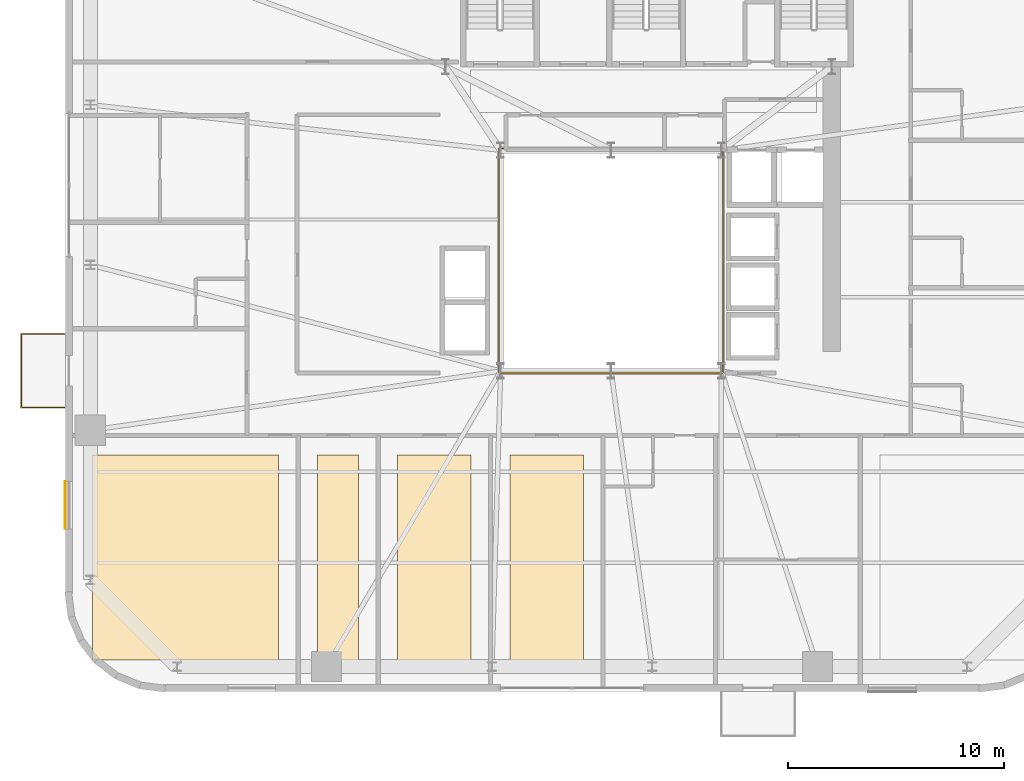
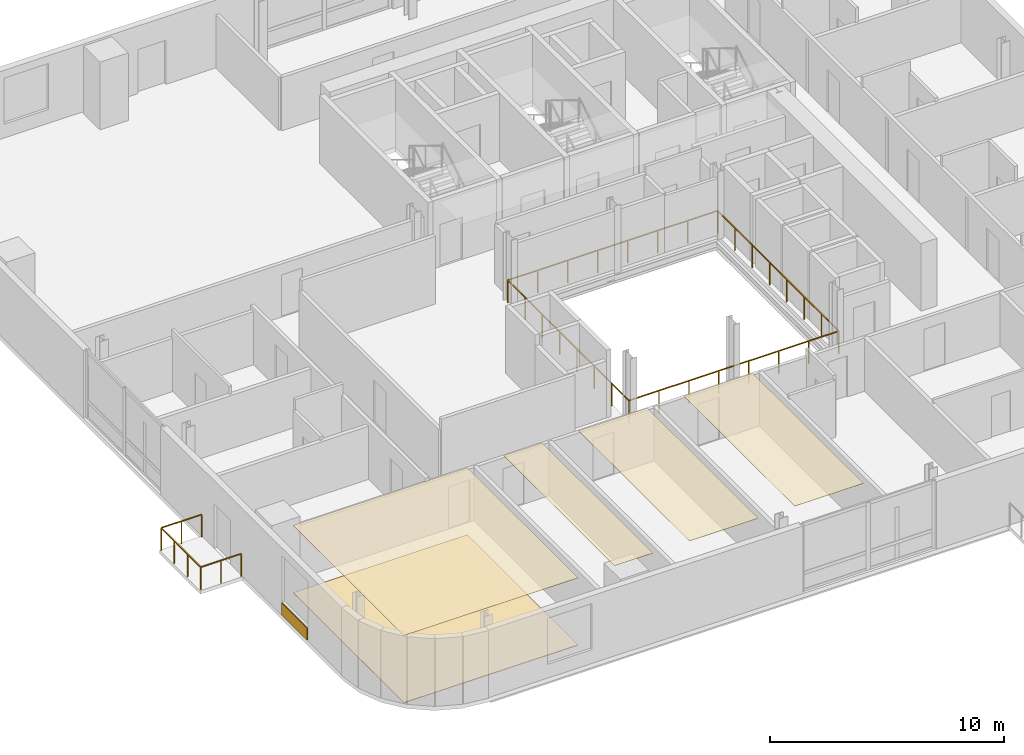
# One storey, part 12 of 16: 6 coverings, 2 railings.
"""IFC4 building model written with IfcOpenShell, lengths in metres."""

from ifc_helpers import new_model, si_unit, direction, frame, origin, origin_2d, place, context, subcontext, project, spatial, polyline, rectangle, outline, extrude, source, transform, mapped, material, layer, layer_set, type_object, element, save


model = new_model("IFC4")

# Units and contexts
model_context = context("Model", 3, precision=1e-05, world=origin(), true_north=direction((0.0, 1.0)))
body_context = subcontext(model_context, "Body", "Model", "MODEL_VIEW")
ifc_project = project(units=[si_unit("LENGTHUNIT", "METRE"), si_unit("AREAUNIT", "SQUARE_METRE"), si_unit("VOLUMEUNIT", "CUBIC_METRE"), si_unit("PLANEANGLEUNIT", "RADIAN"), si_unit("MASSUNIT", "GRAM", prefix="KILO")], contexts=[model_context])

# Site, building, storey
site_placement = place(None, origin())
site = spatial("IfcSite", under=ifc_project, at=site_placement, CompositionType="ELEMENT")
building_placement = place(site_placement, origin())
building = spatial("IfcBuilding", under=site, at=building_placement, Name="Vardaveli Station Tower", CompositionType="ELEMENT")
storey_placement = place(building_placement, frame((0.0, 0.0, 199.800048828125)))
storey = spatial("IfcBuildingStorey", under=building, at=storey_placement, Name="L51", CompositionType="ELEMENT", Elevation=199.800048828125)

# Coverings
ifc_material_1 = material(Name="Perforated acoustic mineral ceiling")
ifc_layer_1 = layer(ifc_material_1, 0.02001953125, Name="Perforated acoustic mineral ceiling")
ifc_layer_set_1 = layer_set([ifc_layer_1], Name="Perforated acoustic mineral ceiling")
covering_type_1 = type_object("IfcCoveringType", Name="COV-CEIL-AC20", PredefinedType="CEILING", material=ifc_layer_set_1)
covering_1_placement = place(storey_placement, frame((0.0, 0.0, 3.514892578125)))
element("IfcCovering", 1, at=covering_1_placement, inside=storey, type_object=covering_type_1, Name="CEIL-L51-1", PredefinedType="CEILING", context=body_context, shape_type="SweptSolid", body=[
    extrude(outline(polyline([(12.35009765625, 3.25), (20.949951171875, 3.25), (20.949951171875, 12.72998046875), (12.35009765625, 12.72998046875), (12.35009765625, 3.25)])), origin(), (0.0, 0.0, 1.0), 0.02001953125),
])
covering_2_placement = place(storey_placement, frame((0.0, 0.0, 3.514892578125)))
element("IfcCovering", 2, at=covering_2_placement, inside=storey, type_object=covering_type_1, Name="CEIL-L51-2", PredefinedType="CEILING", context=body_context, shape_type="SweptSolid", body=[
    extrude(outline(polyline([(22.75, 3.25), (24.64404296875, 3.25), (24.64404296875, 12.72998046875), (22.75, 12.72998046875), (22.75, 3.25)])), origin(), (0.0, 0.0, 1.0), 0.02001953125),
])
covering_3_placement = place(storey_placement, frame((0.0, 0.0, 3.514892578125)))
element("IfcCovering", 3, at=covering_3_placement, inside=storey, type_object=covering_type_1, Name="CEIL-L51-3", PredefinedType="CEILING", context=body_context, shape_type="SweptSolid", body=[
    extrude(outline(polyline([(26.444091796875, 3.25), (29.837890625, 3.25), (29.837890625, 12.72998046875), (26.444091796875, 12.72998046875), (26.444091796875, 3.25)])), origin(), (0.0, 0.0, 1.0), 0.02001953125),
])
covering_4_placement = place(storey_placement, frame((0.0, 0.0, 3.514892578125)))
element("IfcCovering", 4, at=covering_4_placement, inside=storey, type_object=covering_type_1, Name="CEIL-L51-4", PredefinedType="CEILING", context=body_context, shape_type="SweptSolid", body=[
    extrude(outline(polyline([(31.637939453125, 3.25), (35.031982421875, 3.25), (35.031982421875, 12.72998046875), (31.637939453125, 12.72998046875), (31.637939453125, 3.25)])), origin(), (0.0, 0.0, 1.0), 0.02001953125),
])
ifc_material_2 = material(Name="Honed Caucasian basalt and travertine flooring", Category="masonry")
ifc_layer_2 = layer(ifc_material_2, 0.030029296875, Name="Honed Caucasian basalt and travertine flooring")
ifc_layer_set_2 = layer_set([ifc_layer_2], Name="Honed Caucasian basalt and travertine flooring")
covering_type_2 = type_object("IfcCoveringType", Name="COV-FLOOR-ST30", PredefinedType="FLOORING", material=ifc_layer_set_2)
covering_5_placement = place(storey_placement, origin())
element("IfcCovering", 5, at=covering_5_placement, inside=storey, type_object=covering_type_2, Name="FLR-L51-1", PredefinedType="FLOORING", context=body_context, shape_type="SweptSolid", body=[
    extrude(outline(polyline([(12.35009765625, 3.25), (20.949951171875, 3.25), (20.949951171875, 12.72998046875), (12.35009765625, 12.72998046875), (12.35009765625, 3.25)])), origin(), (0.0, 0.0, 1.0), 0.030029296875),
])
ifc_material_3 = material(Name="Ventilated honed travertine stone cladding", Category="masonry")
ifc_layer_3 = layer(ifc_material_3, 0.044921875, Name="Ventilated honed travertine stone cladding")
ifc_layer_set_3 = layer_set([ifc_layer_3], Name="Ventilated honed travertine stone cladding")
covering_type_3 = type_object("IfcCoveringType", Name="COV-CLAD-TR45", PredefinedType="CLADDING", material=ifc_layer_set_3)
shared_shape_1 = source(origin(), body_context, "Body", "SweptSolid", [
    extrude(rectangle(XDim=2.199951171875, YDim=0.044921875, at=origin_2d()), origin(), (0.0, 0.0, 1.0), 0.6201171875),
])
covering_6_placement = place(storey_placement, frame((11.08544921875, 10.405029296875, 0.06982421875), z_axis=(0.0, 0.0, 1.0), x_axis=(0.0, 1.0, 0.0)))
element("IfcCovering", 6, at=covering_6_placement, inside=storey, type_object=covering_type_3, Name="CLD-TR-L51-W", PredefinedType="CLADDING", context=body_context, shape_type="MappedRepresentation", body=[
    mapped(shared_shape_1, transform((0.0, 0.0, 0.0), scale=1.0)),
])

# Railings
ifc_material_4 = material(Name="Laminated glass and stainless steel balustrade", Category="steel")
railing_type = type_object("IfcRailingType", Name="RL-BAL-1200", PredefinedType="BALUSTRADE", material=ifc_material_4)
shared_shape_2 = source(origin(), body_context, "Body", "SweptSolid", [
    extrude(rectangle(XDim=0.048095703125, YDim=0.048095703125, at=origin_2d()), frame((0.0, 0.0, 1.17578125), z_axis=(-1.0, 0.0, 0.0), x_axis=(0.0, -1.0, 0.0)), (0.0, 0.0, 1.0), 2.0),
    extrude(rectangle(XDim=0.048095703125, YDim=0.048095703125, at=origin_2d()), frame((-2.0, 0.0, 1.17578125), z_axis=(0.0, 1.0, 0.0), x_axis=(-1.0, 0.0, 0.0)), (0.0, 0.0, 1.0), 3.3798828125),
    extrude(rectangle(XDim=0.048095703125, YDim=0.048095703125, at=origin_2d()), frame((-2.0, 3.3798828125, 1.17578125), z_axis=(1.0, 0.0, 0.0), x_axis=(0.0, 1.0, 0.0)), (0.0, 0.0, 1.0), 2.0),
    extrude(rectangle(XDim=0.0419921875, YDim=0.0419921875, at=origin_2d()), origin(), (0.0, 0.0, 1.0), 1.15185546875),
    extrude(rectangle(XDim=0.0419921875, YDim=0.0419921875, at=origin_2d()), frame((-1.0, 0.0, 0.0)), (0.0, 0.0, 1.0), 1.15185546875),
    extrude(rectangle(XDim=0.0419921875, YDim=0.0419921875, at=origin_2d()), frame((-2.0, 0.0, 0.0)), (0.0, 0.0, 1.0), 1.15185546875),
    extrude(rectangle(XDim=0.0419921875, YDim=0.0419921875, at=origin_2d()), frame((-2.0, 1.126708984375, 0.0)), (0.0, 0.0, 1.0), 1.15185546875),
    extrude(rectangle(XDim=0.0419921875, YDim=0.0419921875, at=origin_2d()), frame((-2.0, 2.253173828125, 0.0)), (0.0, 0.0, 1.0), 1.15185546875),
    extrude(rectangle(XDim=0.0419921875, YDim=0.0419921875, at=origin_2d()), frame((-2.0, 3.3798828125, 0.0)), (0.0, 0.0, 1.0), 1.15185546875),
    extrude(rectangle(XDim=0.0419921875, YDim=0.0419921875, at=origin_2d()), frame((-1.0, 3.3798828125, 0.0)), (0.0, 0.0, 1.0), 1.15185546875),
    extrude(rectangle(XDim=0.0419921875, YDim=0.0419921875, at=origin_2d()), frame((0.0, 3.3798828125, 0.0)), (0.0, 0.0, 1.0), 1.15185546875),
])
railing_1_placement = place(storey_placement, frame((11.06005859375, 14.92041015625, 0.0)))
element("IfcRailing", 7, at=railing_1_placement, inside=storey, type_object=railing_type, Name="RL-LOG-L51-03", PredefinedType="BALUSTRADE", context=body_context, shape_type="MappedRepresentation", body=[
    mapped(shared_shape_2, transform((0.0, 0.0, 0.0), scale=1.0)),
])
shared_shape_3 = source(origin(), body_context, "Body", "SweptSolid", [
    extrude(rectangle(XDim=0.048095703125, YDim=0.048095703125, at=origin_2d()), frame((0.0, 0.0, 1.17578125), z_axis=(1.0, 0.0, 0.0), x_axis=(0.0, 1.0, 0.0)), (0.0, 0.0, 1.0), 10.35986328125),
    extrude(rectangle(XDim=0.048095703125, YDim=0.048095703125, at=origin_2d()), frame((10.35986328125, 0.0, 1.17578125), z_axis=(0.0, 1.0, 0.0), x_axis=(-1.0, 0.0, 0.0)), (0.0, 0.0, 1.0), 10.35986328125),
    extrude(rectangle(XDim=0.048095703125, YDim=0.048095703125, at=origin_2d()), frame((10.35986328125, 10.35986328125, 1.17578125), z_axis=(-1.0, 0.0, 0.0), x_axis=(0.0, -1.0, 0.0)), (0.0, 0.0, 1.0), 10.35986328125),
    extrude(rectangle(XDim=0.048095703125, YDim=0.048095703125, at=origin_2d()), frame((0.0, 10.35986328125, 1.17578125), z_axis=(0.0, -1.0, 0.0), x_axis=(1.0, 0.0, 0.0)), (0.0, 0.0, 1.0), 10.35986328125),
    extrude(rectangle(XDim=0.0419921875, YDim=0.0419921875, at=origin_2d()), origin(), (0.0, 0.0, 1.0), 1.15185546875),
    extrude(rectangle(XDim=0.0419921875, YDim=0.0419921875, at=origin_2d()), frame((1.47998046875, 0.0, 0.0)), (0.0, 0.0, 1.0), 1.15185546875),
    extrude(rectangle(XDim=0.0419921875, YDim=0.0419921875, at=origin_2d()), frame((2.9599609375, 0.0, 0.0)), (0.0, 0.0, 1.0), 1.15185546875),
    extrude(rectangle(XDim=0.0419921875, YDim=0.0419921875, at=origin_2d()), frame((4.43994140625, 0.0, 0.0)), (0.0, 0.0, 1.0), 1.15185546875),
    extrude(rectangle(XDim=0.0419921875, YDim=0.0419921875, at=origin_2d()), frame((5.919921875, 0.0, 0.0)), (0.0, 0.0, 1.0), 1.15185546875),
    extrude(rectangle(XDim=0.0419921875, YDim=0.0419921875, at=origin_2d()), frame((7.39990234375, 0.0, 0.0)), (0.0, 0.0, 1.0), 1.15185546875),
    extrude(rectangle(XDim=0.0419921875, YDim=0.0419921875, at=origin_2d()), frame((8.8798828125, 0.0, 0.0)), (0.0, 0.0, 1.0), 1.15185546875),
    extrude(rectangle(XDim=0.0419921875, YDim=0.0419921875, at=origin_2d()), frame((10.35986328125, 0.0, 0.0)), (0.0, 0.0, 1.0), 1.15185546875),
    extrude(rectangle(XDim=0.0419921875, YDim=0.0419921875, at=origin_2d()), frame((10.35986328125, 1.47998046875, 0.0)), (0.0, 0.0, 1.0), 1.15185546875),
    extrude(rectangle(XDim=0.0419921875, YDim=0.0419921875, at=origin_2d()), frame((10.35986328125, 2.9599609375, 0.0)), (0.0, 0.0, 1.0), 1.15185546875),
    extrude(rectangle(XDim=0.0419921875, YDim=0.0419921875, at=origin_2d()), frame((10.35986328125, 4.43994140625, 0.0)), (0.0, 0.0, 1.0), 1.15185546875),
    extrude(rectangle(XDim=0.0419921875, YDim=0.0419921875, at=origin_2d()), frame((10.35986328125, 5.919921875, 0.0)), (0.0, 0.0, 1.0), 1.15185546875),
    extrude(rectangle(XDim=0.0419921875, YDim=0.0419921875, at=origin_2d()), frame((10.35986328125, 7.39990234375, 0.0)), (0.0, 0.0, 1.0), 1.15185546875),
    extrude(rectangle(XDim=0.0419921875, YDim=0.0419921875, at=origin_2d()), frame((10.35986328125, 8.8798828125, 0.0)), (0.0, 0.0, 1.0), 1.15185546875),
    extrude(rectangle(XDim=0.0419921875, YDim=0.0419921875, at=origin_2d()), frame((10.35986328125, 10.35986328125, 0.0)), (0.0, 0.0, 1.0), 1.15185546875),
    extrude(rectangle(XDim=0.0419921875, YDim=0.0419921875, at=origin_2d()), frame((8.8798828125, 10.35986328125, 0.0)), (0.0, 0.0, 1.0), 1.15185546875),
    extrude(rectangle(XDim=0.0419921875, YDim=0.0419921875, at=origin_2d()), frame((7.39990234375, 10.35986328125, 0.0)), (0.0, 0.0, 1.0), 1.15185546875),
    extrude(rectangle(XDim=0.0419921875, YDim=0.0419921875, at=origin_2d()), frame((5.919921875, 10.35986328125, 0.0)), (0.0, 0.0, 1.0), 1.15185546875),
    extrude(rectangle(XDim=0.0419921875, YDim=0.0419921875, at=origin_2d()), frame((4.43994140625, 10.35986328125, 0.0)), (0.0, 0.0, 1.0), 1.15185546875),
    extrude(rectangle(XDim=0.0419921875, YDim=0.0419921875, at=origin_2d()), frame((2.9599609375, 10.35986328125, 0.0)), (0.0, 0.0, 1.0), 1.15185546875),
    extrude(rectangle(XDim=0.0419921875, YDim=0.0419921875, at=origin_2d()), frame((1.47998046875, 10.35986328125, 0.0)), (0.0, 0.0, 1.0), 1.15185546875),
    extrude(rectangle(XDim=0.0419921875, YDim=0.0419921875, at=origin_2d()), frame((0.0, 10.35986328125, 0.0)), (0.0, 0.0, 1.0), 1.15185546875),
    extrude(rectangle(XDim=0.0419921875, YDim=0.0419921875, at=origin_2d()), frame((0.0, 8.8798828125, 0.0)), (0.0, 0.0, 1.0), 1.15185546875),
    extrude(rectangle(XDim=0.0419921875, YDim=0.0419921875, at=origin_2d()), frame((0.0, 7.39990234375, 0.0)), (0.0, 0.0, 1.0), 1.15185546875),
    extrude(rectangle(XDim=0.0419921875, YDim=0.0419921875, at=origin_2d()), frame((0.0, 5.919921875, 0.0)), (0.0, 0.0, 1.0), 1.15185546875),
    extrude(rectangle(XDim=0.0419921875, YDim=0.0419921875, at=origin_2d()), frame((0.0, 4.43994140625, 0.0)), (0.0, 0.0, 1.0), 1.15185546875),
    extrude(rectangle(XDim=0.0419921875, YDim=0.0419921875, at=origin_2d()), frame((0.0, 2.9599609375, 0.0)), (0.0, 0.0, 1.0), 1.15185546875),
    extrude(rectangle(XDim=0.0419921875, YDim=0.0419921875, at=origin_2d()), frame((0.0, 1.47998046875, 0.0)), (0.0, 0.0, 1.0), 1.15185546875),
])
railing_2_placement = place(storey_placement, frame((31.1201171875, 16.52001953125, 0.0)))
element("IfcRailing", 8, at=railing_2_placement, inside=storey, type_object=railing_type, Name="RL-ATR-L51", PredefinedType="BALUSTRADE", context=body_context, shape_type="MappedRepresentation", body=[
    mapped(shared_shape_3, transform((0.0, 0.0, 0.0), scale=1.0)),
])

save(model, "model.ifc")
